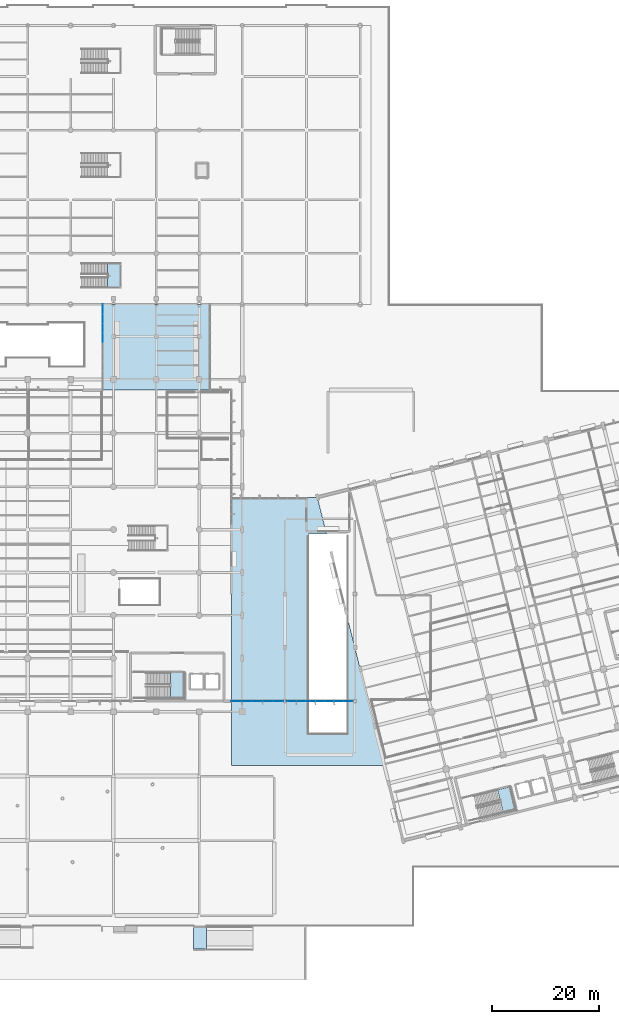
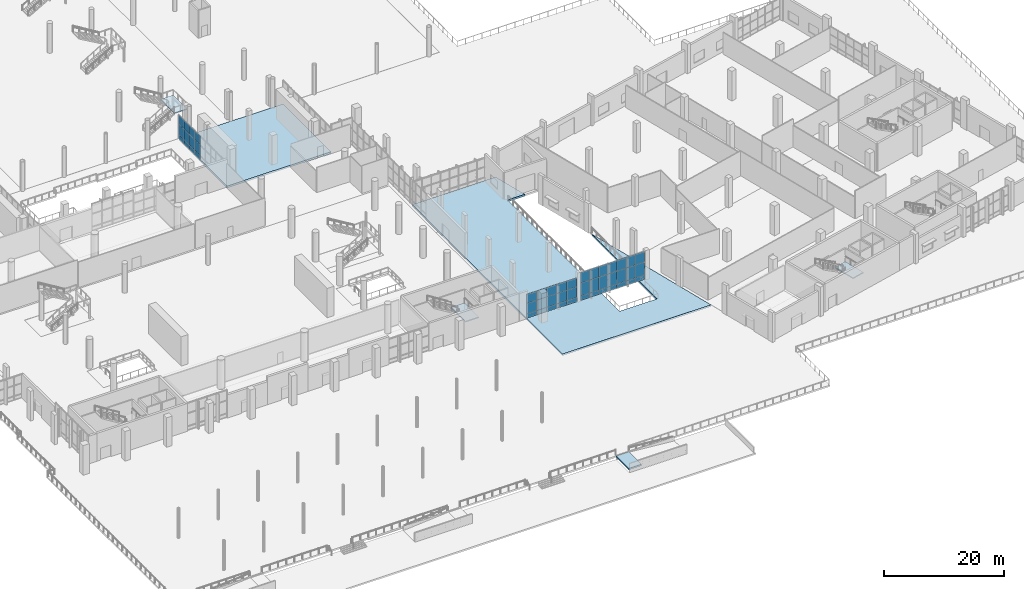
# One storey, part 117 of 163: 48 plates, 6 slabs, 7 elements without a shape of their own.
"""IFC4 building model written with IfcOpenShell, lengths in metres."""

from ifc_helpers import new_model, si_unit, direction, frame, origin, origin_2d, place, context, subcontext, project, spatial, polyline, rectangle, outline, extrude, material, layer, layer_set, type_object, element, aggregate, save


model = new_model("IFC4")

# Units and contexts
model_context = context("Model", 3, precision=1e-05, world=origin(), true_north=direction((0.0, 1.0)))
body_context = subcontext(model_context, "Body", "Model", "MODEL_VIEW")
ifc_project = project(units=[si_unit("LENGTHUNIT", "METRE"), si_unit("AREAUNIT", "SQUARE_METRE"), si_unit("VOLUMEUNIT", "CUBIC_METRE"), si_unit("PLANEANGLEUNIT", "RADIAN"), si_unit("MASSUNIT", "GRAM", prefix="KILO")], contexts=[model_context])

# Site, building, storey
site_placement = place(None, origin())
site = spatial("IfcSite", under=ifc_project, at=site_placement, CompositionType="ELEMENT")
building_placement = place(site_placement, origin())
building = spatial("IfcBuilding", under=site, at=building_placement, Name="Khorjan Park Terminus", CompositionType="ELEMENT")
storey_placement = place(building_placement, origin())
storey = spatial("IfcBuildingStorey", under=building, at=storey_placement, Name="L00", CompositionType="ELEMENT", Elevation=0.0)

# Curtain wall, plates
ifc_material_1 = material(Name="Anodized Bronze Aluminium", Category="aluminium")
ifc_layer_1 = layer(ifc_material_1, 0.22)
ifc_layer_set_1 = layer_set([ifc_layer_1], Name="Anodized Bronze Aluminium")
curtain_wall_type_1 = type_object("IfcCurtainWallType", Name="CW-BRG-D", PredefinedType="NOTDEFINED", material=ifc_layer_set_1)
curtain_wall_1_placement = place(storey_placement, origin())
curtain_wall_1 = element("IfcCurtainWall", 1, at=curtain_wall_1_placement, inside=storey, type_object=curtain_wall_type_1, Name="Unitized curtain wall CW-D (CW-NKE-W-L00)", PredefinedType="NOTDEFINED")
ifc_material_2 = material(Name="Low-E Solar Control Double Glazing", Category="glass")
ifc_layer_2 = layer(ifc_material_2, 0.032)
ifc_layer_set_2 = layer_set([ifc_layer_2], Name="Low-E Solar Control Double Glazing")
plate_type_1 = type_object("IfcPlateType", Name="GL-VIS-32", PredefinedType="CURTAIN_PANEL", material=ifc_layer_set_2)
plate_1_placement = place(storey_placement, frame((110.0, 101.1111, 0.8499), z_axis=(0.0, 0.0, 1.0), x_axis=(0.0, -1.0, 0.0)))
plate_1 = element("IfcPlate", 2, at=plate_1_placement, type_object=plate_type_1, Name="Curtain-wall panel VP-32 (CW-NKE-W-L00-0-2)", PredefinedType="CURTAIN_PANEL", context=body_context, shape_type="SweptSolid", body=[
    extrude(rectangle(XDim=1.7778, YDim=0.032, at=origin_2d()), origin(), (0.0, 0.0, 1.0), 2.1415),
])
plate_2_placement = place(storey_placement, frame((110.0, 101.1111, 2.9914), z_axis=(0.0, 0.0, 1.0), x_axis=(0.0, -1.0, 0.0)))
plate_2 = element("IfcPlate", 3, at=plate_2_placement, type_object=plate_type_1, Name="Curtain-wall panel VP-32 (CW-NKE-W-L00-0-3)", PredefinedType="CURTAIN_PANEL", context=body_context, shape_type="SweptSolid", body=[
    extrude(rectangle(XDim=1.7778, YDim=0.032, at=origin_2d()), origin(), (0.0, 0.0, 1.0), 1.8435),
])
plate_3_placement = place(storey_placement, frame((110.0, 99.3333, 0.8499), z_axis=(0.0, 0.0, 1.0), x_axis=(0.0, -1.0, 0.0)))
plate_3 = element("IfcPlate", 4, at=plate_3_placement, type_object=plate_type_1, Name="Curtain-wall panel VP-32 (CW-NKE-W-L00-1-2)", PredefinedType="CURTAIN_PANEL", context=body_context, shape_type="SweptSolid", body=[
    extrude(rectangle(XDim=1.7778, YDim=0.032, at=origin_2d()), origin(), (0.0, 0.0, 1.0), 2.1415),
])
plate_4_placement = place(storey_placement, frame((110.0, 99.3333, 2.9914), z_axis=(0.0, 0.0, 1.0), x_axis=(0.0, -1.0, 0.0)))
plate_4 = element("IfcPlate", 5, at=plate_4_placement, type_object=plate_type_1, Name="Curtain-wall panel VP-32 (CW-NKE-W-L00-1-3)", PredefinedType="CURTAIN_PANEL", context=body_context, shape_type="SweptSolid", body=[
    extrude(rectangle(XDim=1.7778, YDim=0.032, at=origin_2d()), origin(), (0.0, 0.0, 1.0), 1.8435),
])
plate_5_placement = place(storey_placement, frame((110.0, 97.5556, 0.8499), z_axis=(0.0, 0.0, 1.0), x_axis=(0.0, -1.0, 0.0)))
plate_5 = element("IfcPlate", 6, at=plate_5_placement, type_object=plate_type_1, Name="Curtain-wall panel VP-32 (CW-NKE-W-L00-2-2)", PredefinedType="CURTAIN_PANEL", context=body_context, shape_type="SweptSolid", body=[
    extrude(rectangle(XDim=1.7778, YDim=0.032, at=origin_2d()), origin(), (0.0, 0.0, 1.0), 2.1415),
])
plate_6_placement = place(storey_placement, frame((110.0, 97.5556, 2.9914), z_axis=(0.0, 0.0, 1.0), x_axis=(0.0, -1.0, 0.0)))
plate_6 = element("IfcPlate", 7, at=plate_6_placement, type_object=plate_type_1, Name="Curtain-wall panel VP-32 (CW-NKE-W-L00-2-3)", PredefinedType="CURTAIN_PANEL", context=body_context, shape_type="SweptSolid", body=[
    extrude(rectangle(XDim=1.7778, YDim=0.032, at=origin_2d()), origin(), (0.0, 0.0, 1.0), 1.8435),
])
plate_7_placement = place(storey_placement, frame((110.0, 95.7778, 0.8499), z_axis=(0.0, 0.0, 1.0), x_axis=(0.0, -1.0, 0.0)))
plate_7 = element("IfcPlate", 8, at=plate_7_placement, type_object=plate_type_1, Name="Curtain-wall panel VP-32 (CW-NKE-W-L00-3-2)", PredefinedType="CURTAIN_PANEL", context=body_context, shape_type="SweptSolid", body=[
    extrude(rectangle(XDim=1.7778, YDim=0.032, at=origin_2d()), origin(), (0.0, 0.0, 1.0), 2.1415),
])
plate_8_placement = place(storey_placement, frame((110.0, 95.7778, 2.9914), z_axis=(0.0, 0.0, 1.0), x_axis=(0.0, -1.0, 0.0)))
plate_8 = element("IfcPlate", 9, at=plate_8_placement, type_object=plate_type_1, Name="Curtain-wall panel VP-32 (CW-NKE-W-L00-3-3)", PredefinedType="CURTAIN_PANEL", context=body_context, shape_type="SweptSolid", body=[
    extrude(rectangle(XDim=1.7778, YDim=0.032, at=origin_2d()), origin(), (0.0, 0.0, 1.0), 1.8435),
])

ifc_layer_3 = layer(ifc_material_1, 0.22)
ifc_layer_set_3 = layer_set([ifc_layer_3], Name="Anodized Bronze Aluminium")
curtain_wall_type_2 = type_object("IfcCurtainWallType", Name="CW-OPS-B", PredefinedType="NOTDEFINED", material=ifc_layer_set_3)
curtain_wall_2_placement = place(storey_placement, origin())
curtain_wall_2 = element("IfcCurtainWall", 10, at=curtain_wall_2_placement, inside=storey, type_object=curtain_wall_type_2, Name="Unitized curtain wall CW-B (CW-V5L-S-L00-1)", PredefinedType="NOTDEFINED")
ifc_material_3 = material(Name="Acoustic Laminated Solar Glazing", Category="glass")
ifc_layer_4 = layer(ifc_material_3, 0.036)
ifc_layer_set_4 = layer_set([ifc_layer_4], Name="Acoustic Laminated Solar Glazing")
plate_type_2 = type_object("IfcPlateType", Name="GL-VIS-36", PredefinedType="CURTAIN_PANEL", material=ifc_layer_set_4)
plate_9_placement = place(storey_placement, frame((134.9645, 28.0, 0.8499), z_axis=(0.0, 0.0, 1.0), x_axis=(1.0, 0.0, 0.0)))
plate_9 = element("IfcPlate", 11, at=plate_9_placement, type_object=plate_type_2, Name="Curtain-wall panel VP-36 (CW-V5L-S-L00-1-0-2)", PredefinedType="CURTAIN_PANEL", context=body_context, shape_type="SweptSolid", body=[
    extrude(rectangle(XDim=1.929, YDim=0.036, at=origin_2d()), origin(), (0.0, 0.0, 1.0), 2.1415),
])
plate_10_placement = place(storey_placement, frame((134.9645, 28.0, 2.9914), z_axis=(0.0, 0.0, 1.0), x_axis=(1.0, 0.0, 0.0)))
plate_10 = element("IfcPlate", 12, at=plate_10_placement, type_object=plate_type_2, Name="Curtain-wall panel VP-36 (CW-V5L-S-L00-1-0-3)", PredefinedType="CURTAIN_PANEL", context=body_context, shape_type="SweptSolid", body=[
    extrude(rectangle(XDim=1.929, YDim=0.036, at=origin_2d()), origin(), (0.0, 0.0, 1.0), 1.8435),
])
plate_11_placement = place(storey_placement, frame((136.8935, 28.0, 0.8499), z_axis=(0.0, 0.0, 1.0), x_axis=(1.0, 0.0, 0.0)))
plate_11 = element("IfcPlate", 13, at=plate_11_placement, type_object=plate_type_2, Name="Curtain-wall panel VP-36 (CW-V5L-S-L00-1-1-2)", PredefinedType="CURTAIN_PANEL", context=body_context, shape_type="SweptSolid", body=[
    extrude(rectangle(XDim=1.929, YDim=0.036, at=origin_2d()), origin(), (0.0, 0.0, 1.0), 2.1415),
])
plate_12_placement = place(storey_placement, frame((136.8935, 28.0, 2.9914), z_axis=(0.0, 0.0, 1.0), x_axis=(1.0, 0.0, 0.0)))
plate_12 = element("IfcPlate", 14, at=plate_12_placement, type_object=plate_type_2, Name="Curtain-wall panel VP-36 (CW-V5L-S-L00-1-1-3)", PredefinedType="CURTAIN_PANEL", context=body_context, shape_type="SweptSolid", body=[
    extrude(rectangle(XDim=1.929, YDim=0.036, at=origin_2d()), origin(), (0.0, 0.0, 1.0), 1.8435),
])
plate_13_placement = place(storey_placement, frame((138.8225, 28.0, 0.8499), z_axis=(0.0, 0.0, 1.0), x_axis=(1.0, 0.0, 0.0)))
plate_13 = element("IfcPlate", 15, at=plate_13_placement, type_object=plate_type_2, Name="Curtain-wall panel VP-36 (CW-V5L-S-L00-1-2-2)", PredefinedType="CURTAIN_PANEL", context=body_context, shape_type="SweptSolid", body=[
    extrude(rectangle(XDim=1.929, YDim=0.036, at=origin_2d()), origin(), (0.0, 0.0, 1.0), 2.1415),
])
plate_14_placement = place(storey_placement, frame((138.8225, 28.0, 2.9914), z_axis=(0.0, 0.0, 1.0), x_axis=(1.0, 0.0, 0.0)))
plate_14 = element("IfcPlate", 16, at=plate_14_placement, type_object=plate_type_2, Name="Curtain-wall panel VP-36 (CW-V5L-S-L00-1-2-3)", PredefinedType="CURTAIN_PANEL", context=body_context, shape_type="SweptSolid", body=[
    extrude(rectangle(XDim=1.929, YDim=0.036, at=origin_2d()), origin(), (0.0, 0.0, 1.0), 1.8435),
])
plate_15_placement = place(storey_placement, frame((140.7515, 28.0, 0.8499), z_axis=(0.0, 0.0, 1.0), x_axis=(1.0, 0.0, 0.0)))
plate_15 = element("IfcPlate", 17, at=plate_15_placement, type_object=plate_type_2, Name="Curtain-wall panel VP-36 (CW-V5L-S-L00-1-3-2)", PredefinedType="CURTAIN_PANEL", context=body_context, shape_type="SweptSolid", body=[
    extrude(rectangle(XDim=1.929, YDim=0.036, at=origin_2d()), origin(), (0.0, 0.0, 1.0), 2.1415),
])
plate_16_placement = place(storey_placement, frame((140.7515, 28.0, 2.9914), z_axis=(0.0, 0.0, 1.0), x_axis=(1.0, 0.0, 0.0)))
plate_16 = element("IfcPlate", 18, at=plate_16_placement, type_object=plate_type_2, Name="Curtain-wall panel VP-36 (CW-V5L-S-L00-1-3-3)", PredefinedType="CURTAIN_PANEL", context=body_context, shape_type="SweptSolid", body=[
    extrude(rectangle(XDim=1.929, YDim=0.036, at=origin_2d()), origin(), (0.0, 0.0, 1.0), 1.8435),
])
plate_17_placement = place(storey_placement, frame((142.6805, 28.0, 0.8499), z_axis=(0.0, 0.0, 1.0), x_axis=(1.0, 0.0, 0.0)))
plate_17 = element("IfcPlate", 19, at=plate_17_placement, type_object=plate_type_2, Name="Curtain-wall panel VP-36 (CW-V5L-S-L00-1-4-2)", PredefinedType="CURTAIN_PANEL", context=body_context, shape_type="SweptSolid", body=[
    extrude(rectangle(XDim=1.929, YDim=0.036, at=origin_2d()), origin(), (0.0, 0.0, 1.0), 2.1415),
])
plate_18_placement = place(storey_placement, frame((142.6805, 28.0, 2.9914), z_axis=(0.0, 0.0, 1.0), x_axis=(1.0, 0.0, 0.0)))
plate_18 = element("IfcPlate", 20, at=plate_18_placement, type_object=plate_type_2, Name="Curtain-wall panel VP-36 (CW-V5L-S-L00-1-4-3)", PredefinedType="CURTAIN_PANEL", context=body_context, shape_type="SweptSolid", body=[
    extrude(rectangle(XDim=1.929, YDim=0.036, at=origin_2d()), origin(), (0.0, 0.0, 1.0), 1.8435),
])

curtain_wall_3_placement = place(storey_placement, origin())
curtain_wall_3 = element("IfcCurtainWall", 21, at=curtain_wall_3_placement, inside=storey, type_object=curtain_wall_type_2, Name="Unitized curtain wall CW-B (CW-V5L-S-L00-2)", PredefinedType="NOTDEFINED")
plate_19_placement = place(storey_placement, frame((145.2328, 28.0, 0.85), z_axis=(0.0, 0.0, 1.0), x_axis=(1.0, 0.0, 0.0)))
plate_19 = element("IfcPlate", 22, at=plate_19_placement, type_object=plate_type_2, Name="Curtain-wall panel VP-36 (CW-V5L-S-L00-2-0-2)", PredefinedType="CURTAIN_PANEL", context=body_context, shape_type="SweptSolid", body=[
    extrude(rectangle(XDim=1.7557, YDim=0.036, at=origin_2d()), origin(), (0.0, 0.0, 1.0), 2.6468),
])
plate_20_placement = place(storey_placement, frame((145.2328, 28.0, 3.4968), z_axis=(0.0, 0.0, 1.0), x_axis=(1.0, 0.0, 0.0)))
plate_20 = element("IfcPlate", 23, at=plate_20_placement, type_object=plate_type_2, Name="Curtain-wall panel VP-36 (CW-V5L-S-L00-2-0-3)", PredefinedType="CURTAIN_PANEL", context=body_context, shape_type="SweptSolid", body=[
    extrude(rectangle(XDim=1.7557, YDim=0.036, at=origin_2d()), origin(), (0.0, 0.0, 1.0), 2.1532),
])
plate_21_placement = place(storey_placement, frame((146.9886, 28.0, 0.85), z_axis=(0.0, 0.0, 1.0), x_axis=(1.0, 0.0, 0.0)))
plate_21 = element("IfcPlate", 24, at=plate_21_placement, type_object=plate_type_2, Name="Curtain-wall panel VP-36 (CW-V5L-S-L00-2-1-2)", PredefinedType="CURTAIN_PANEL", context=body_context, shape_type="SweptSolid", body=[
    extrude(rectangle(XDim=1.7557, YDim=0.036, at=origin_2d()), origin(), (0.0, 0.0, 1.0), 2.6468),
])
plate_22_placement = place(storey_placement, frame((146.9886, 28.0, 3.4968), z_axis=(0.0, 0.0, 1.0), x_axis=(1.0, 0.0, 0.0)))
plate_22 = element("IfcPlate", 25, at=plate_22_placement, type_object=plate_type_2, Name="Curtain-wall panel VP-36 (CW-V5L-S-L00-2-1-3)", PredefinedType="CURTAIN_PANEL", context=body_context, shape_type="SweptSolid", body=[
    extrude(rectangle(XDim=1.7557, YDim=0.036, at=origin_2d()), origin(), (0.0, 0.0, 1.0), 2.1532),
])
plate_23_placement = place(storey_placement, frame((148.7442, 28.0, 0.85), z_axis=(0.0, 0.0, 1.0), x_axis=(1.0, 0.0, 0.0)))
plate_23 = element("IfcPlate", 26, at=plate_23_placement, type_object=plate_type_2, Name="Curtain-wall panel VP-36 (CW-V5L-S-L00-2-2-2)", PredefinedType="CURTAIN_PANEL", context=body_context, shape_type="SweptSolid", body=[
    extrude(rectangle(XDim=1.7557, YDim=0.036, at=origin_2d()), origin(), (0.0, 0.0, 1.0), 2.6468),
])
plate_24_placement = place(storey_placement, frame((148.7442, 28.0, 3.4968), z_axis=(0.0, 0.0, 1.0), x_axis=(1.0, 0.0, 0.0)))
plate_24 = element("IfcPlate", 27, at=plate_24_placement, type_object=plate_type_2, Name="Curtain-wall panel VP-36 (CW-V5L-S-L00-2-2-3)", PredefinedType="CURTAIN_PANEL", context=body_context, shape_type="SweptSolid", body=[
    extrude(rectangle(XDim=1.7557, YDim=0.036, at=origin_2d()), origin(), (0.0, 0.0, 1.0), 2.1532),
])
plate_25_placement = place(storey_placement, frame((150.5, 28.0, 0.85), z_axis=(0.0, 0.0, 1.0), x_axis=(1.0, 0.0, 0.0)))
plate_25 = element("IfcPlate", 28, at=plate_25_placement, type_object=plate_type_2, Name="Curtain-wall panel VP-36 (CW-V5L-S-L00-2-3-2)", PredefinedType="CURTAIN_PANEL", context=body_context, shape_type="SweptSolid", body=[
    extrude(rectangle(XDim=1.7557, YDim=0.036, at=origin_2d()), origin(), (0.0, 0.0, 1.0), 2.6468),
])
plate_26_placement = place(storey_placement, frame((150.5, 28.0, 3.4968), z_axis=(0.0, 0.0, 1.0), x_axis=(1.0, 0.0, 0.0)))
plate_26 = element("IfcPlate", 29, at=plate_26_placement, type_object=plate_type_2, Name="Curtain-wall panel VP-36 (CW-V5L-S-L00-2-3-3)", PredefinedType="CURTAIN_PANEL", context=body_context, shape_type="SweptSolid", body=[
    extrude(rectangle(XDim=1.7557, YDim=0.036, at=origin_2d()), origin(), (0.0, 0.0, 1.0), 2.1532),
])
plate_27_placement = place(storey_placement, frame((152.2558, 28.0, 0.85), z_axis=(0.0, 0.0, 1.0), x_axis=(1.0, 0.0, 0.0)))
plate_27 = element("IfcPlate", 30, at=plate_27_placement, type_object=plate_type_2, Name="Curtain-wall panel VP-36 (CW-V5L-S-L00-2-4-2)", PredefinedType="CURTAIN_PANEL", context=body_context, shape_type="SweptSolid", body=[
    extrude(rectangle(XDim=1.7557, YDim=0.036, at=origin_2d()), origin(), (0.0, 0.0, 1.0), 2.6468),
])
plate_28_placement = place(storey_placement, frame((152.2558, 28.0, 3.4968), z_axis=(0.0, 0.0, 1.0), x_axis=(1.0, 0.0, 0.0)))
plate_28 = element("IfcPlate", 31, at=plate_28_placement, type_object=plate_type_2, Name="Curtain-wall panel VP-36 (CW-V5L-S-L00-2-4-3)", PredefinedType="CURTAIN_PANEL", context=body_context, shape_type="SweptSolid", body=[
    extrude(rectangle(XDim=1.7557, YDim=0.036, at=origin_2d()), origin(), (0.0, 0.0, 1.0), 2.1532),
])
plate_29_placement = place(storey_placement, frame((154.0114, 28.0, 0.85), z_axis=(0.0, 0.0, 1.0), x_axis=(1.0, 0.0, 0.0)))
plate_29 = element("IfcPlate", 32, at=plate_29_placement, type_object=plate_type_2, Name="Curtain-wall panel VP-36 (CW-V5L-S-L00-2-5-2)", PredefinedType="CURTAIN_PANEL", context=body_context, shape_type="SweptSolid", body=[
    extrude(rectangle(XDim=1.7557, YDim=0.036, at=origin_2d()), origin(), (0.0, 0.0, 1.0), 2.6468),
])
plate_30_placement = place(storey_placement, frame((154.0114, 28.0, 3.4968), z_axis=(0.0, 0.0, 1.0), x_axis=(1.0, 0.0, 0.0)))
plate_30 = element("IfcPlate", 33, at=plate_30_placement, type_object=plate_type_2, Name="Curtain-wall panel VP-36 (CW-V5L-S-L00-2-5-3)", PredefinedType="CURTAIN_PANEL", context=body_context, shape_type="SweptSolid", body=[
    extrude(rectangle(XDim=1.7557, YDim=0.036, at=origin_2d()), origin(), (0.0, 0.0, 1.0), 2.1532),
])
plate_31_placement = place(storey_placement, frame((155.7672, 28.0, 0.85), z_axis=(0.0, 0.0, 1.0), x_axis=(1.0, 0.0, 0.0)))
plate_31 = element("IfcPlate", 34, at=plate_31_placement, type_object=plate_type_2, Name="Curtain-wall panel VP-36 (CW-V5L-S-L00-2-6-2)", PredefinedType="CURTAIN_PANEL", context=body_context, shape_type="SweptSolid", body=[
    extrude(rectangle(XDim=1.7557, YDim=0.036, at=origin_2d()), origin(), (0.0, 0.0, 1.0), 2.6468),
])
plate_32_placement = place(storey_placement, frame((155.7672, 28.0, 3.4968), z_axis=(0.0, 0.0, 1.0), x_axis=(1.0, 0.0, 0.0)))
plate_32 = element("IfcPlate", 35, at=plate_32_placement, type_object=plate_type_2, Name="Curtain-wall panel VP-36 (CW-V5L-S-L00-2-6-3)", PredefinedType="CURTAIN_PANEL", context=body_context, shape_type="SweptSolid", body=[
    extrude(rectangle(XDim=1.7557, YDim=0.036, at=origin_2d()), origin(), (0.0, 0.0, 1.0), 2.1532),
])

# Slabs
ifc_material_4 = material(Name="Concrete C40/50", Category="concrete")
ifc_layer_5 = layer(ifc_material_4, 0.35)
ifc_layer_set_5 = layer_set([ifc_layer_5], Name="Concrete C40/50")
slab_type_1 = type_object("IfcSlabType", Name="SL-FLR-350", PredefinedType="FLOOR", material=ifc_layer_set_5)
slab_1_placement = place(storey_placement, frame((0.0, 0.0, -0.35)))
element("IfcSlab", 36, at=slab_1_placement, inside=storey, type_object=slab_type_1, Name="Structural floor slab FS-35 (L00-V2V5-LNK)", PredefinedType="FLOOR", context=body_context, shape_type="SweptSolid", body=[
    extrude(outline(polyline([(134.0, 66.0), (150.0327, 66.0), (151.7281, 59.2), (148.4, 59.2), (148.4, 22.0), (155.6, 22.0), (155.6, 43.6708), (162.4991, 16.0), (134.0, 16.0), (134.0, 66.0)])), origin(), (0.0, 0.0, 1.0), 0.35),
])
ifc_layer_6 = layer(ifc_material_4, 0.36)
ifc_layer_set_6 = layer_set([ifc_layer_6], Name="Concrete C40/50")
slab_type_2 = type_object("IfcSlabType", Name="SL-FLR-360", PredefinedType="FLOOR", material=ifc_layer_set_6)
slab_2_placement = place(storey_placement, frame((0.0, 0.0, -0.36)))
element("IfcSlab", 37, at=slab_2_placement, inside=storey, type_object=slab_type_2, Name="Structural floor slab FS-36 (L00-NK-E)", PredefinedType="FLOOR", context=body_context, shape_type="SweptSolid", body=[
    extrude(outline(polyline([(110.0, 102.0), (130.0, 102.0), (130.0, 86.0), (110.0, 86.0), (110.0, 102.0)])), origin(), (0.0, 0.0, 1.0), 0.36),
])

# Stair, slab
stair_type_1 = type_object("IfcStairType", Name="STR-CORE-220", PredefinedType="HALF_TURN_STAIR", material=ifc_material_4)
stair_1_placement = place(storey_placement, origin())
stair_1 = element("IfcStair", 38, at=stair_1_placement, inside=storey, type_object=stair_type_1, Name="L00 East Concourse Core exit stair ST-02", PredefinedType="HALF_TURN_STAIR")
ifc_layer_7 = layer(ifc_material_4, 0.2)
ifc_layer_set_7 = layer_set([ifc_layer_7], Name="Concrete C40/50")
slab_type_3 = type_object("IfcSlabType", Name="SL-LND-200", PredefinedType="LANDING", material=ifc_layer_set_7)
slab_3_placement = place(storey_placement, frame((0.0, 0.0, 2.8)))
slab_3 = element("IfcSlab", 39, at=slab_3_placement, type_object=slab_type_3, Name="ST-02 landing 1", PredefinedType="LANDING", context=body_context, shape_type="SweptSolid", body=[
    extrude(outline(polyline([(122.605, 28.55), (125.2, 28.55), (125.2, 33.31), (122.605, 33.31), (122.605, 28.55)])), origin(), (0.0, 0.0, 1.0), 0.2),
])
aggregate(stair_1, [slab_3])

stair_type_2 = type_object("IfcStairType", Name="STR-CORE-200", PredefinedType="HALF_TURN_STAIR", material=ifc_material_4)
stair_2_placement = place(storey_placement, origin())
stair_2 = element("IfcStair", 40, at=stair_2_placement, inside=storey, type_object=stair_type_2, Name="L00 Operations West Firefighting Core exit stair ST-03", PredefinedType="HALF_TURN_STAIR")
slab_4_placement = place(storey_placement, frame((0.0, 0.0, 2.8)))
slab_4 = element("IfcSlab", 41, at=slab_4_placement, type_object=slab_type_3, Name="ST-03 landing 1", PredefinedType="LANDING", context=body_context, shape_type="SweptSolid", body=[
    extrude(outline(polyline([(184.6955, 7.2281), (187.0194, 7.8075), (185.9646, 12.038), (183.6407, 11.4586), (184.6955, 7.2281)])), origin(), (0.0, 0.0, 1.0), 0.2),
])
aggregate(stair_2, [slab_4])

stair_type_3 = type_object("IfcStairType", Name="STR-PUB-200", PredefinedType="HALF_TURN_STAIR", material=ifc_material_4)
stair_3_placement = place(storey_placement, origin())
stair_3 = element("IfcStair", 42, at=stair_3_placement, inside=storey, type_object=stair_type_3, Name="Public passenger half-turn stair PS-02", PredefinedType="HALF_TURN_STAIR")
slab_5_placement = place(storey_placement, frame((0.0, 0.0, 2.8)))
slab_5 = element("IfcSlab", 43, at=slab_5_placement, type_object=slab_type_3, Name="Stair PS-02 intermediate half-landing LS-20", PredefinedType="LANDING", context=body_context, shape_type="SweptSolid", body=[
    extrude(outline(polyline([(110.915, 105.06), (113.38, 105.06), (113.38, 109.64), (110.915, 109.64), (110.915, 105.06)])), origin(), (0.0, 0.0, 1.0), 0.2),
])
aggregate(stair_3, [slab_5])

# Ramp, slab
ramp_type = type_object("IfcRampType", Name="RMP-ACC-400", PredefinedType="STRAIGHT_RUN_RAMP", material=ifc_material_4)
ramp_placement = place(storey_placement, origin())
ramp = element("IfcRamp", 44, at=ramp_placement, inside=storey, type_object=ramp_type, Name="Accessible 1:12 site-grade approach ramp AR-03", PredefinedType="STRAIGHT_RUN_RAMP")
ifc_layer_8 = layer(ifc_material_4, 0.29)
ifc_layer_set_8 = layer_set([ifc_layer_8], Name="Concrete C40/50")
slab_type_4 = type_object("IfcSlabType", Name="SL-LND-290", PredefinedType="LANDING", material=ifc_layer_set_8)
slab_6_placement = place(storey_placement, frame((0.0, 0.0, -0.29)))
slab_6 = element("IfcSlab", 45, at=slab_6_placement, type_object=slab_type_4, Name="Accessible ramp top arrival landing (GRMP-S-E)", PredefinedType="LANDING", context=body_context, shape_type="SweptSolid", body=[
    extrude(outline(polyline([(126.96, -18.24), (129.375, -18.24), (129.375, -13.98), (126.96, -13.98), (126.96, -18.24)])), origin(), (0.0, 0.0, 1.0), 0.29),
])
aggregate(ramp, [slab_6])

# Plate
ifc_material_5 = material(Name="Insulated Anodized Bronze Spandrel Panel")
ifc_layer_9 = layer(ifc_material_5, 0.045)
ifc_layer_set_9 = layer_set([ifc_layer_9], Name="Insulated Anodized Bronze Spandrel Panel")
plate_type_3 = type_object("IfcPlateType", Name="SP-AL-45", PredefinedType="CURTAIN_PANEL", material=ifc_layer_set_9)
plate_33_placement = place(storey_placement, frame((110.0, 101.1111, -0.01), z_axis=(0.0, 0.0, 1.0), x_axis=(0.0, -1.0, 0.0)))
plate_33 = element("IfcPlate", 46, at=plate_33_placement, type_object=plate_type_3, Name="Curtain-wall panel SP-A45 (CW-NKE-W-L00-0-1)", PredefinedType="CURTAIN_PANEL", context=body_context, shape_type="SweptSolid", body=[
    extrude(rectangle(XDim=1.7778, YDim=0.045, at=origin_2d()), origin(), (0.0, 0.0, 1.0), 0.86),
])

plate_34_placement = place(storey_placement, frame((110.0, 99.3333, -0.01), z_axis=(0.0, 0.0, 1.0), x_axis=(0.0, -1.0, 0.0)))
plate_34 = element("IfcPlate", 47, at=plate_34_placement, type_object=plate_type_3, Name="Curtain-wall panel SP-A45 (CW-NKE-W-L00-1-1)", PredefinedType="CURTAIN_PANEL", context=body_context, shape_type="SweptSolid", body=[
    extrude(rectangle(XDim=1.7778, YDim=0.045, at=origin_2d()), origin(), (0.0, 0.0, 1.0), 0.86),
])

plate_35_placement = place(storey_placement, frame((110.0, 97.5556, -0.01), z_axis=(0.0, 0.0, 1.0), x_axis=(0.0, -1.0, 0.0)))
plate_35 = element("IfcPlate", 48, at=plate_35_placement, type_object=plate_type_3, Name="Curtain-wall panel SP-A45 (CW-NKE-W-L00-2-1)", PredefinedType="CURTAIN_PANEL", context=body_context, shape_type="SweptSolid", body=[
    extrude(rectangle(XDim=1.7778, YDim=0.045, at=origin_2d()), origin(), (0.0, 0.0, 1.0), 0.86),
])

plate_36_placement = place(storey_placement, frame((110.0, 95.7778, -0.01), z_axis=(0.0, 0.0, 1.0), x_axis=(0.0, -1.0, 0.0)))
plate_36 = element("IfcPlate", 49, at=plate_36_placement, type_object=plate_type_3, Name="Curtain-wall panel SP-A45 (CW-NKE-W-L00-3-1)", PredefinedType="CURTAIN_PANEL", context=body_context, shape_type="SweptSolid", body=[
    extrude(rectangle(XDim=1.7778, YDim=0.045, at=origin_2d()), origin(), (0.0, 0.0, 1.0), 0.86),
])

aggregate(curtain_wall_1, [plate_33, plate_1, plate_2, plate_34, plate_3, plate_4, plate_35, plate_5, plate_6, plate_36, plate_7, plate_8])

plate_37_placement = place(storey_placement, frame((134.9645, 28.0, -0.01), z_axis=(0.0, 0.0, 1.0), x_axis=(1.0, 0.0, 0.0)))
plate_37 = element("IfcPlate", 50, at=plate_37_placement, type_object=plate_type_3, Name="Curtain-wall panel SP-A45 (CW-V5L-S-L00-1-0-1)", PredefinedType="CURTAIN_PANEL", context=body_context, shape_type="SweptSolid", body=[
    extrude(rectangle(XDim=1.929, YDim=0.045, at=origin_2d()), origin(), (0.0, 0.0, 1.0), 0.86),
])

plate_38_placement = place(storey_placement, frame((136.8935, 28.0, -0.01), z_axis=(0.0, 0.0, 1.0), x_axis=(1.0, 0.0, 0.0)))
plate_38 = element("IfcPlate", 51, at=plate_38_placement, type_object=plate_type_3, Name="Curtain-wall panel SP-A45 (CW-V5L-S-L00-1-1-1)", PredefinedType="CURTAIN_PANEL", context=body_context, shape_type="SweptSolid", body=[
    extrude(rectangle(XDim=1.929, YDim=0.045, at=origin_2d()), origin(), (0.0, 0.0, 1.0), 0.86),
])

plate_39_placement = place(storey_placement, frame((138.8225, 28.0, -0.01), z_axis=(0.0, 0.0, 1.0), x_axis=(1.0, 0.0, 0.0)))
plate_39 = element("IfcPlate", 52, at=plate_39_placement, type_object=plate_type_3, Name="Curtain-wall panel SP-A45 (CW-V5L-S-L00-1-2-1)", PredefinedType="CURTAIN_PANEL", context=body_context, shape_type="SweptSolid", body=[
    extrude(rectangle(XDim=1.929, YDim=0.045, at=origin_2d()), origin(), (0.0, 0.0, 1.0), 0.86),
])

plate_40_placement = place(storey_placement, frame((140.7515, 28.0, -0.01), z_axis=(0.0, 0.0, 1.0), x_axis=(1.0, 0.0, 0.0)))
plate_40 = element("IfcPlate", 53, at=plate_40_placement, type_object=plate_type_3, Name="Curtain-wall panel SP-A45 (CW-V5L-S-L00-1-3-1)", PredefinedType="CURTAIN_PANEL", context=body_context, shape_type="SweptSolid", body=[
    extrude(rectangle(XDim=1.929, YDim=0.045, at=origin_2d()), origin(), (0.0, 0.0, 1.0), 0.86),
])

plate_41_placement = place(storey_placement, frame((142.6805, 28.0, -0.01), z_axis=(0.0, 0.0, 1.0), x_axis=(1.0, 0.0, 0.0)))
plate_41 = element("IfcPlate", 54, at=plate_41_placement, type_object=plate_type_3, Name="Curtain-wall panel SP-A45 (CW-V5L-S-L00-1-4-1)", PredefinedType="CURTAIN_PANEL", context=body_context, shape_type="SweptSolid", body=[
    extrude(rectangle(XDim=1.929, YDim=0.045, at=origin_2d()), origin(), (0.0, 0.0, 1.0), 0.86),
])

aggregate(curtain_wall_2, [plate_37, plate_9, plate_10, plate_38, plate_11, plate_12, plate_39, plate_13, plate_14, plate_40, plate_15, plate_16, plate_41, plate_17, plate_18])

plate_42_placement = place(storey_placement, frame((145.2328, 28.0, -0.01), z_axis=(0.0, 0.0, 1.0), x_axis=(1.0, 0.0, 0.0)))
plate_42 = element("IfcPlate", 55, at=plate_42_placement, type_object=plate_type_3, Name="Curtain-wall panel SP-A45 (CW-V5L-S-L00-2-0-1)", PredefinedType="CURTAIN_PANEL", context=body_context, shape_type="SweptSolid", body=[
    extrude(rectangle(XDim=1.7557, YDim=0.045, at=origin_2d()), origin(), (0.0, 0.0, 1.0), 0.86),
])

plate_43_placement = place(storey_placement, frame((146.9886, 28.0, -0.01), z_axis=(0.0, 0.0, 1.0), x_axis=(1.0, 0.0, 0.0)))
plate_43 = element("IfcPlate", 56, at=plate_43_placement, type_object=plate_type_3, Name="Curtain-wall panel SP-A45 (CW-V5L-S-L00-2-1-1)", PredefinedType="CURTAIN_PANEL", context=body_context, shape_type="SweptSolid", body=[
    extrude(rectangle(XDim=1.7557, YDim=0.045, at=origin_2d()), origin(), (0.0, 0.0, 1.0), 0.86),
])

plate_44_placement = place(storey_placement, frame((148.7442, 28.0, -0.01), z_axis=(0.0, 0.0, 1.0), x_axis=(1.0, 0.0, 0.0)))
plate_44 = element("IfcPlate", 57, at=plate_44_placement, type_object=plate_type_3, Name="Curtain-wall panel SP-A45 (CW-V5L-S-L00-2-2-1)", PredefinedType="CURTAIN_PANEL", context=body_context, shape_type="SweptSolid", body=[
    extrude(rectangle(XDim=1.7557, YDim=0.045, at=origin_2d()), origin(), (0.0, 0.0, 1.0), 0.86),
])

plate_45_placement = place(storey_placement, frame((150.5, 28.0, -0.01), z_axis=(0.0, 0.0, 1.0), x_axis=(1.0, 0.0, 0.0)))
plate_45 = element("IfcPlate", 58, at=plate_45_placement, type_object=plate_type_3, Name="Curtain-wall panel SP-A45 (CW-V5L-S-L00-2-3-1)", PredefinedType="CURTAIN_PANEL", context=body_context, shape_type="SweptSolid", body=[
    extrude(rectangle(XDim=1.7557, YDim=0.045, at=origin_2d()), origin(), (0.0, 0.0, 1.0), 0.86),
])

plate_46_placement = place(storey_placement, frame((152.2558, 28.0, -0.01), z_axis=(0.0, 0.0, 1.0), x_axis=(1.0, 0.0, 0.0)))
plate_46 = element("IfcPlate", 59, at=plate_46_placement, type_object=plate_type_3, Name="Curtain-wall panel SP-A45 (CW-V5L-S-L00-2-4-1)", PredefinedType="CURTAIN_PANEL", context=body_context, shape_type="SweptSolid", body=[
    extrude(rectangle(XDim=1.7557, YDim=0.045, at=origin_2d()), origin(), (0.0, 0.0, 1.0), 0.86),
])

plate_47_placement = place(storey_placement, frame((154.0114, 28.0, -0.01), z_axis=(0.0, 0.0, 1.0), x_axis=(1.0, 0.0, 0.0)))
plate_47 = element("IfcPlate", 60, at=plate_47_placement, type_object=plate_type_3, Name="Curtain-wall panel SP-A45 (CW-V5L-S-L00-2-5-1)", PredefinedType="CURTAIN_PANEL", context=body_context, shape_type="SweptSolid", body=[
    extrude(rectangle(XDim=1.7557, YDim=0.045, at=origin_2d()), origin(), (0.0, 0.0, 1.0), 0.86),
])

plate_48_placement = place(storey_placement, frame((155.7672, 28.0, -0.01), z_axis=(0.0, 0.0, 1.0), x_axis=(1.0, 0.0, 0.0)))
plate_48 = element("IfcPlate", 61, at=plate_48_placement, type_object=plate_type_3, Name="Curtain-wall panel SP-A45 (CW-V5L-S-L00-2-6-1)", PredefinedType="CURTAIN_PANEL", context=body_context, shape_type="SweptSolid", body=[
    extrude(rectangle(XDim=1.7557, YDim=0.045, at=origin_2d()), origin(), (0.0, 0.0, 1.0), 0.86),
])

aggregate(curtain_wall_3, [plate_42, plate_19, plate_20, plate_43, plate_21, plate_22, plate_44, plate_23, plate_24, plate_45, plate_25, plate_26, plate_46, plate_27, plate_28, plate_47, plate_29, plate_30, plate_48, plate_31, plate_32])

save(model, "model.ifc")
